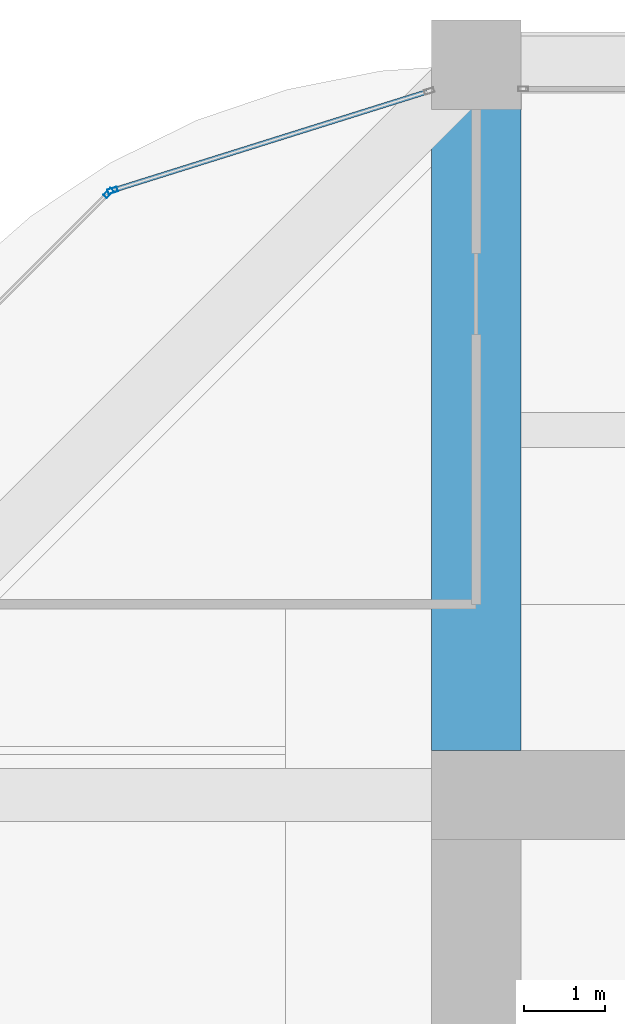
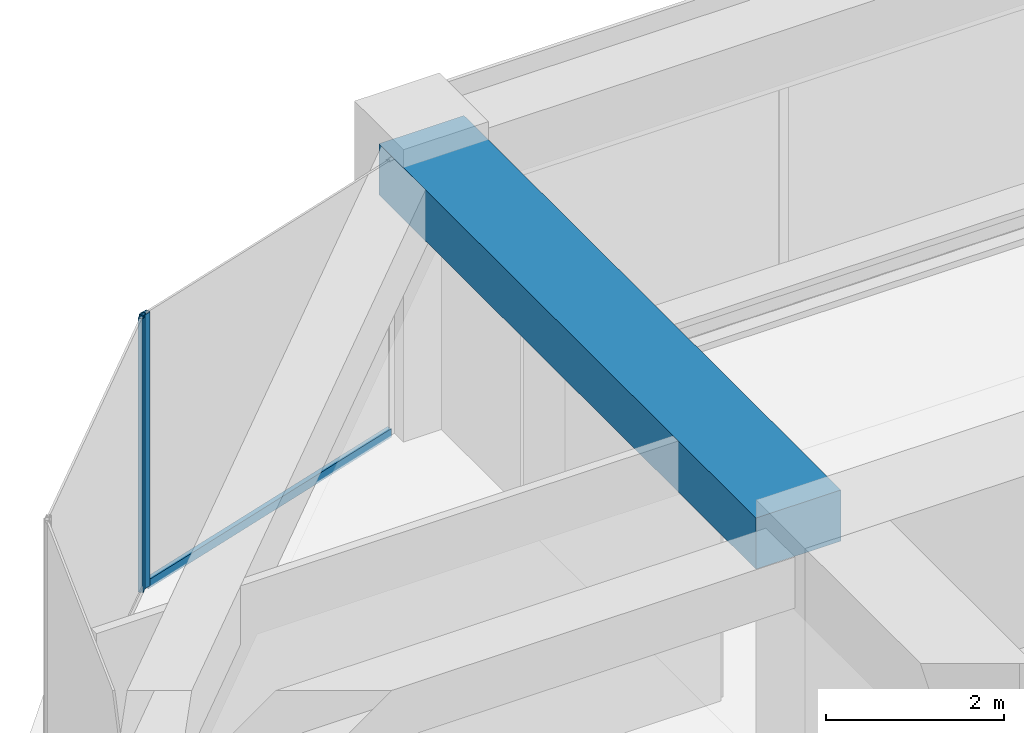
# One storey, part 30 of 44: 3 members, 1 beam, 2 elements without a shape of their own.
"""IFC4 building model written with IfcOpenShell, lengths in metres."""

from ifc_helpers import new_model, si_unit, direction, frame, origin, origin_2d, place, context, subcontext, project, spatial, rectangle, hollow_rectangle, extrude, material, material_profile, profile_set, type_object, element, aggregate, save


model = new_model("IFC4")

# Units and contexts
model_context = context("Model", 3, precision=1e-05, world=origin(), true_north=direction((0.0, 1.0)))
body_context = subcontext(model_context, "Body", "Model", "MODEL_VIEW")
ifc_project = project(units=[si_unit("LENGTHUNIT", "METRE"), si_unit("AREAUNIT", "SQUARE_METRE"), si_unit("VOLUMEUNIT", "CUBIC_METRE"), si_unit("PLANEANGLEUNIT", "RADIAN"), si_unit("MASSUNIT", "GRAM", prefix="KILO")], contexts=[model_context])

# Site, building, storey
site_placement = place(None, origin())
site = spatial("IfcSite", under=ifc_project, at=site_placement, CompositionType="ELEMENT")
building_placement = place(site_placement, origin())
building = spatial("IfcBuilding", under=site, at=building_placement, Name="Zorevar Civic Tower", CompositionType="ELEMENT")
storey_placement = place(building_placement, frame((0.0, 0.0, 263.39990234375)))
storey = spatial("IfcBuildingStorey", under=building, at=storey_placement, Name="L64", CompositionType="ELEMENT", Elevation=263.39990234375)

# Beam
ifc_material_1 = material(Name="Concrete C50/60", Category="concrete")
ifc_material_profile_1 = material_profile(ifc_material_1, rectangle(XDim=1.10009765625, YDim=0.699951171875, at=origin_2d()), Name="RC 1100x700")
ifc_profile_set_1 = profile_set([ifc_material_profile_1], Name="Concrete C50/60")
beam_type = type_object("IfcBeamType", Name="Beam RC 1100x700", PredefinedType="BEAM", material=ifc_profile_set_1)
beam_placement = place(storey_placement, frame((18.0, 36.550048828125, 3.400146484375), z_axis=(0.0, 1.0, 0.0), x_axis=(-1.0, 0.0, 0.0)))
element("IfcBeam", 1, at=beam_placement, inside=storey, type_object=beam_type, Name="Girder L65", PredefinedType="BEAM", context=body_context, shape_type="SweptSolid", body=[
    extrude(rectangle(XDim=1.10009765625, YDim=0.699951171875, at=origin_2d()), origin(), (0.0, 0.0, 1.0), 8.449951171875),
])

# Curtain wall, member
ifc_material_2 = material(Name="Dark grey solar-control glass in black aluminium frame", Category="aluminium")
curtain_wall_type = type_object("IfcCurtainWallType", Name="Curtain wall CW5 top zone", PredefinedType="NOTDEFINED", material=ifc_material_2)
curtain_wall_1_placement = place(storey_placement, origin())
curtain_wall_1 = element("IfcCurtainWall", 2, at=curtain_wall_1_placement, inside=storey, type_object=curtain_wall_type, Name="CW5 L64", PredefinedType="NOTDEFINED")
ifc_material_3 = material(Name="Aluminium, black anodised", Category="aluminium")
ifc_material_profile_2 = material_profile(ifc_material_3, hollow_rectangle(XDim=0.06005859375, YDim=0.1201171875, WallThickness=0.0029296875, at=origin_2d()), Name="AL 120x60x3")
ifc_profile_set_2 = profile_set([ifc_material_profile_2], Name="Aluminium, black anodised")
member_type_1 = type_object("IfcMemberType", Name="CW5 mullion AL 120x60x3", PredefinedType="MULLION", material=ifc_profile_set_2)
member_1_placement = place(storey_placement, frame((13.520751953125, 43.449951171875, 0.0), z_axis=(0.0, 0.0, 1.0), x_axis=(0.299317920238, -0.954153437674, 0.0)))
member_1 = element("IfcMember", 3, at=member_1_placement, type_object=member_type_1, Name="CW5 mullion 2", PredefinedType="MULLION", context=body_context, shape_type="SweptSolid", body=[
    extrude(hollow_rectangle(XDim=0.06005859375, YDim=0.1201171875, WallThickness=0.0029296875, at=origin_2d()), origin(), (0.0, 0.0, 1.0), 3.75),
])

curtain_wall_2_placement = place(storey_placement, origin())
curtain_wall_2 = element("IfcCurtainWall", 4, at=curtain_wall_2_placement, inside=storey, type_object=curtain_wall_type, Name="CW5 L64", PredefinedType="NOTDEFINED")
member_2_placement = place(storey_placement, frame((13.470947265625, 43.419677734375, 0.0), z_axis=(0.0, 0.0, 1.0), x_axis=(0.707106781187, -0.707106781187, 0.0)))
member_2 = element("IfcMember", 5, at=member_2_placement, type_object=member_type_1, Name="CW5 mullion 1", PredefinedType="MULLION", context=body_context, shape_type="SweptSolid", body=[
    extrude(hollow_rectangle(XDim=0.06005859375, YDim=0.1201171875, WallThickness=0.0029296875, at=origin_2d()), origin(), (0.0, 0.0, 1.0), 3.75),
])
aggregate(curtain_wall_2, [member_2])

# Member
ifc_material_4 = material(Name="Aluminium, black anodised", Category="aluminium")
ifc_material_profile_3 = material_profile(ifc_material_4, hollow_rectangle(XDim=0.06005859375, YDim=0.1201171875, WallThickness=0.0029296875, at=origin_2d()), Name="AL 120x60x3")
ifc_profile_set_3 = profile_set([ifc_material_profile_3], Name="Aluminium, black anodised")
member_type_2 = type_object("IfcMemberType", Name="CW5 transom AL 120x60x3", PredefinedType="USERDEFINED", material=ifc_profile_set_3)
member_3_placement = place(storey_placement, frame((17.392822265625, 44.66455078125, 0.030029296875), z_axis=(-0.954163457351, -0.299285978047, 0.0), x_axis=(0.299285978047, -0.954163457351, 0.0)))
member_3 = element("IfcMember", 6, at=member_3_placement, type_object=member_type_2, Name="CW5 sill transom", ObjectType="TRANSOM", PredefinedType="USERDEFINED", context=body_context, shape_type="SweptSolid", body=[
    extrude(hollow_rectangle(XDim=0.06005859375, YDim=0.1201171875, WallThickness=0.0029296875, at=origin_2d()), origin(), (0.0, 0.0, 1.0), 4.028076171875),
])

aggregate(curtain_wall_1, [member_1, member_3])

save(model, "model.ifc")
